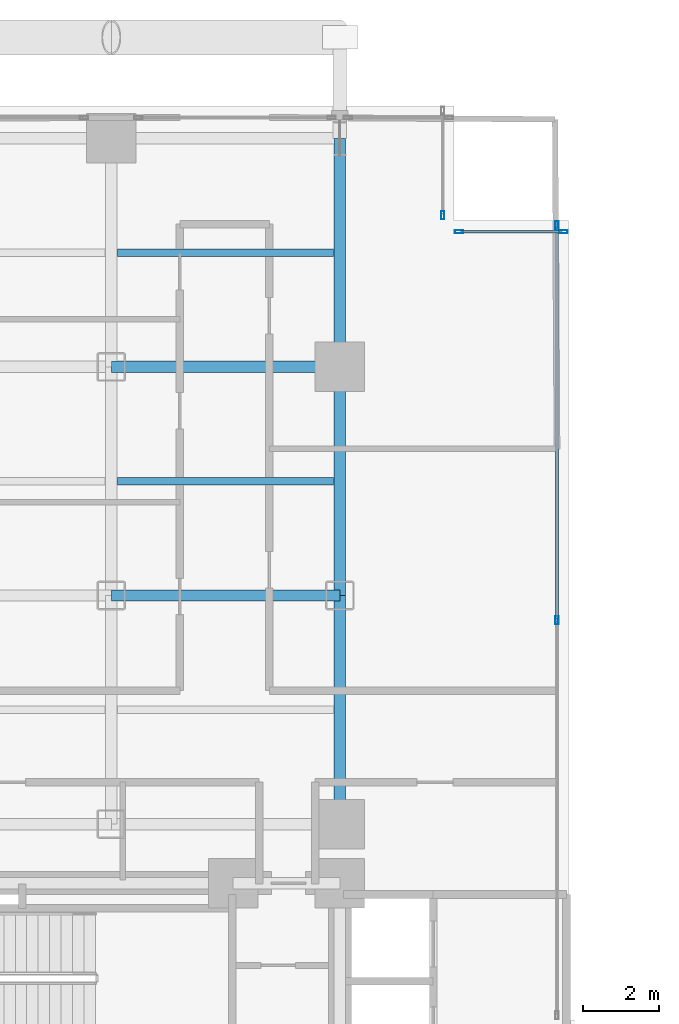
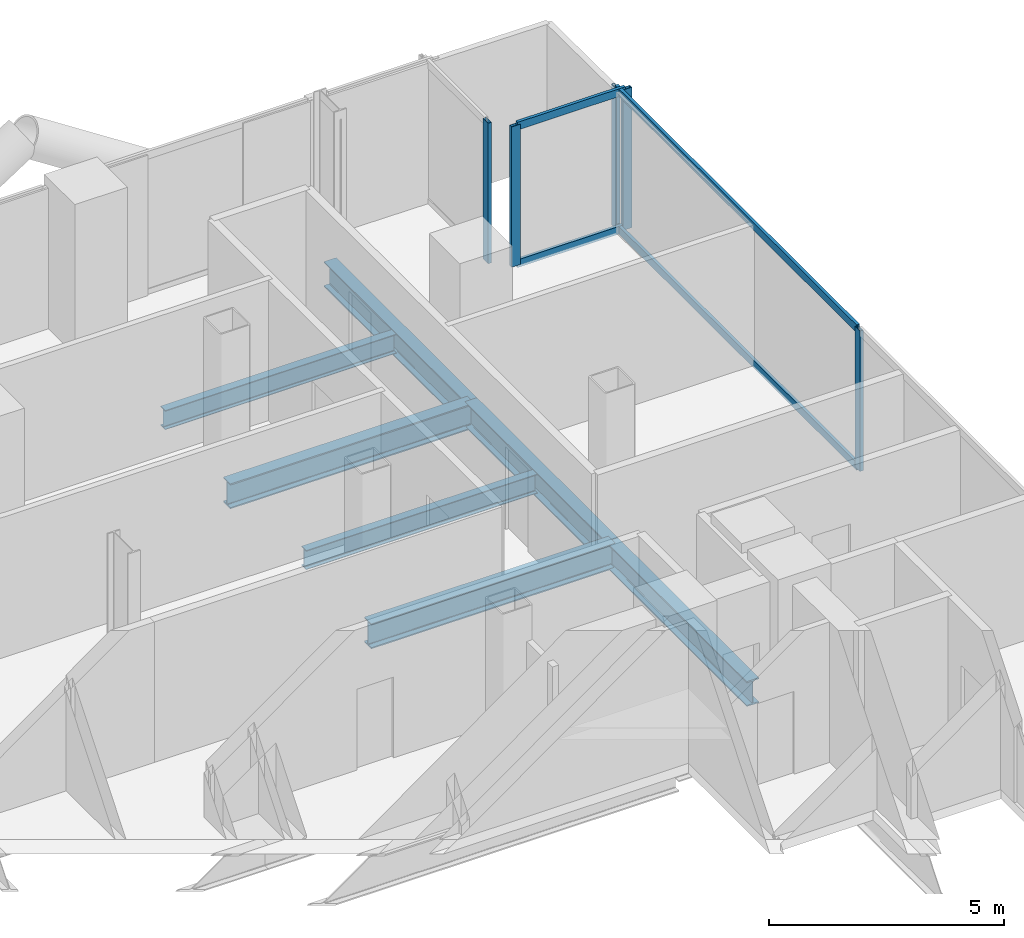
# One storey, part 15 of 25: 9 members, 7 beams, 3 elements without a shape of their own.
"""IFC4 building model written with IfcOpenShell, lengths in metres."""

from ifc_helpers import new_model, si_unit, direction, frame, origin, origin_2d, place, context, subcontext, project, spatial, hollow_rectangle, i_section, extrude, material, layer, layer_set, material_profile, profile_set, type_object, element, aggregate, save


model = new_model("IFC4")

# Units and contexts
model_context = context("Model", 3, precision=1e-05, world=origin(), true_north=direction((0.0, 1.0)))
body_context = subcontext(model_context, "Body", "Model", "MODEL_VIEW")
ifc_project = project(units=[si_unit("LENGTHUNIT", "METRE"), si_unit("AREAUNIT", "SQUARE_METRE"), si_unit("VOLUMEUNIT", "CUBIC_METRE"), si_unit("PLANEANGLEUNIT", "RADIAN"), si_unit("MASSUNIT", "GRAM", prefix="KILO"), si_unit("THERMODYNAMICTEMPERATUREUNIT", "KELVIN"), si_unit("POWERUNIT", "WATT")], contexts=[model_context])

# Site, building, storey
site_placement = place(None, origin())
site = spatial("IfcSite", under=ifc_project, at=site_placement, CompositionType="ELEMENT")
building_placement = place(site_placement, origin())
building = spatial("IfcBuilding", under=site, at=building_placement, Name="Svarakhadi Broadcast Tower", CompositionType="ELEMENT")
storey_placement = place(building_placement, frame((0.0, 0.0, 63.60009765625)))
storey = spatial("IfcBuildingStorey", under=building, at=storey_placement, Name="L14", CompositionType="ELEMENT", Elevation=63.60009765625)

# Beams
ifc_material_1 = material(Name="Steel S355J2 (IS 2062 E350C)", Category="steel")
ifc_material_profile_1 = material_profile(ifc_material_1, i_section(OverallWidth=0.199951171875, OverallDepth=0.5, WebThickness=0.01025390625, FlangeThickness=0.01611328125, FilletRadius=0.02099609375, at=origin_2d()), Name="NPB 500x200x91")
ifc_profile_set_1 = profile_set([ifc_material_profile_1], Name="Steel S355J2 (IS 2062 E350C)")
beam_type_1 = type_object("IfcBeamType", Name="Beam_NPB500", PredefinedType="BEAM", material=ifc_profile_set_1)
for number, where, z_axis, x_axis, name in (
    (1, (12.159912109375, 38.14990234375, -0.5), (1.0, 0.0, 0.0), (0.0, 1.0, 0.0), "L14 Secondary Composite Beam SB017"),
    (2, (12.159912109375, 44.14990234375, -0.5), (1.0, 0.0, 0.0), (0.0, 1.0, 0.0), "L14 Secondary Composite Beam SB018"),
):
    element("IfcBeam", number, at=place(storey_placement, frame(where, z_axis=z_axis, x_axis=x_axis)), inside=storey, type_object=beam_type_1, Name=name, PredefinedType="BEAM", context=body_context, shape_type="SweptSolid", body=[
        extrude(i_section(OverallWidth=0.199951171875, OverallDepth=0.5, WebThickness=0.01025390625, FlangeThickness=0.01611328125, FilletRadius=0.02099609375, at=origin_2d()), origin(), (0.0, 0.0, 1.0), 5.68017578125),
    ])

# Curtain wall, member
ifc_material_2 = material(Name="Anodised Bronze Aluminium AA 6063-T6", Category="aluminium")
ifc_layer = layer(ifc_material_2, 0.219970703125)
ifc_layer_set = layer_set([ifc_layer], Name="Anodised Bronze Aluminium AA 6063-T6")
curtain_wall_type = type_object("IfcCurtainWallType", Name="CW_Sys_02", PredefinedType="NOTDEFINED", material=ifc_layer_set)
curtain_wall_1_placement = place(storey_placement, origin())
curtain_wall_1 = element("IfcCurtainWall", 3, at=curtain_wall_1_placement, inside=storey, type_object=curtain_wall_type, Name="L14 Unitised Facade Curtain Wall 07", PredefinedType="NOTDEFINED")
ifc_material_profile_2 = material_profile(ifc_material_2, hollow_rectangle(XDim=0.0849609375, YDim=0.219970703125, WallThickness=0.006103515625, at=origin_2d()), Name="ALU MULLION 220x85x6")
ifc_profile_set_2 = profile_set([ifc_material_profile_2], Name="Anodised Bronze Aluminium AA 6063-T6")
member_type_1 = type_object("IfcMemberType", Name="CW_Sys_02_Mul", PredefinedType="MULLION", material=ifc_profile_set_2)
member_1_placement = place(storey_placement, frame((20.699951171875, 45.132568359375, 0.0), z_axis=(0.0, 0.0, 1.0), x_axis=(1.0, 0.0, 0.0)))
member_1 = element("IfcMember", 4, at=member_1_placement, type_object=member_type_1, Name="CW-02 mullion 2", PredefinedType="MULLION", context=body_context, shape_type="SweptSolid", body=[
    extrude(hollow_rectangle(XDim=0.0849609375, YDim=0.219970703125, WallThickness=0.006103515625, at=origin_2d()), origin(), (0.0, 0.0, 1.0), 3.64990234375),
])
aggregate(curtain_wall_1, [member_1])

# Curtain wall, members
curtain_wall_2_placement = place(storey_placement, origin())
curtain_wall_2 = element("IfcCurtainWall", 5, at=curtain_wall_2_placement, inside=storey, type_object=curtain_wall_type, Name="L14 Unitised Facade Curtain Wall 08", PredefinedType="NOTDEFINED")
member_2_placement = place(storey_placement, frame((21.132568359375, 44.699951171875, 0.0), z_axis=(0.0, 0.0, 1.0), x_axis=(0.0, 1.0, 0.0)))
member_2 = element("IfcMember", 6, at=member_2_placement, type_object=member_type_1, Name="CW-02 mullion 1", PredefinedType="MULLION", context=body_context, shape_type="SweptSolid", body=[
    extrude(hollow_rectangle(XDim=0.0849609375, YDim=0.219970703125, WallThickness=0.006103515625, at=origin_2d()), origin(), (0.0, 0.0, 1.0), 3.64990234375),
])
member_3_placement = place(storey_placement, frame((23.867431640625, 44.699951171875, 0.0), z_axis=(0.0, 0.0, 1.0), x_axis=(0.0, 1.0, 0.0)))
member_3 = element("IfcMember", 7, at=member_3_placement, type_object=member_type_1, Name="CW-02 mullion 2", PredefinedType="MULLION", context=body_context, shape_type="SweptSolid", body=[
    extrude(hollow_rectangle(XDim=0.0849609375, YDim=0.219970703125, WallThickness=0.006103515625, at=origin_2d()), origin(), (0.0, 0.0, 1.0), 3.64990234375),
])

curtain_wall_3_placement = place(storey_placement, origin())
curtain_wall_3 = element("IfcCurtainWall", 8, at=curtain_wall_3_placement, inside=storey, type_object=curtain_wall_type, Name="L14 Unitised Facade Curtain Wall 09", PredefinedType="NOTDEFINED")
member_4_placement = place(storey_placement, frame((23.699951171875, 44.867431640625, 0.0), z_axis=(0.0, 0.0, 1.0), x_axis=(1.0, 0.0, 0.0)))
member_4 = element("IfcMember", 9, at=member_4_placement, type_object=member_type_1, Name="CW-02 mullion 1", PredefinedType="MULLION", context=body_context, shape_type="SweptSolid", body=[
    extrude(hollow_rectangle(XDim=0.0849609375, YDim=0.219970703125, WallThickness=0.006103515625, at=origin_2d()), origin(), (0.0, 0.0, 1.0), 3.64990234375),
])
member_5_placement = place(storey_placement, frame((23.699951171875, 34.5, 0.0), z_axis=(0.0, 0.0, 1.0), x_axis=(1.0, 0.0, 0.0)))
member_5 = element("IfcMember", 10, at=member_5_placement, type_object=member_type_1, Name="CW-02 mullion 2", PredefinedType="MULLION", context=body_context, shape_type="SweptSolid", body=[
    extrude(hollow_rectangle(XDim=0.0849609375, YDim=0.219970703125, WallThickness=0.006103515625, at=origin_2d()), origin(), (0.0, 0.0, 1.0), 3.64990234375),
])

# Member
ifc_material_profile_3 = material_profile(ifc_material_2, hollow_rectangle(XDim=0.074951171875, YDim=0.199951171875, WallThickness=0.0048828125, at=origin_2d()), Name="ALU TRANSOM 200x75x5")
ifc_profile_set_3 = profile_set([ifc_material_profile_3], Name="Anodised Bronze Aluminium AA 6063-T6")
member_type_2 = type_object("IfcMemberType", Name="CW_Sys_02_Trn", PredefinedType="USERDEFINED", material=ifc_profile_set_3)
member_6_placement = place(storey_placement, frame((21.175048828125, 44.699951171875, 0.037353515625), z_axis=(1.0, 0.0, 0.0), x_axis=(0.0, 1.0, 0.0)))
member_6 = element("IfcMember", 11, at=member_6_placement, type_object=member_type_2, Name="CW-02 transom 1.1", ObjectType="TRANSOM", PredefinedType="USERDEFINED", context=body_context, shape_type="SweptSolid", body=[
    extrude(hollow_rectangle(XDim=0.074951171875, YDim=0.199951171875, WallThickness=0.0048828125, at=origin_2d()), origin(), (0.0, 0.0, 1.0), 2.64990234375),
])

member_7_placement = place(storey_placement, frame((21.175048828125, 44.699951171875, 3.6123046875), z_axis=(1.0, 0.0, 0.0), x_axis=(0.0, 1.0, 0.0)))
member_7 = element("IfcMember", 12, at=member_7_placement, type_object=member_type_2, Name="CW-02 transom 1.2", ObjectType="TRANSOM", PredefinedType="USERDEFINED", context=body_context, shape_type="SweptSolid", body=[
    extrude(hollow_rectangle(XDim=0.074951171875, YDim=0.199951171875, WallThickness=0.0048828125, at=origin_2d()), origin(), (0.0, 0.0, 1.0), 2.64990234375),
])

aggregate(curtain_wall_2, [member_2, member_3, member_6, member_7])

member_8_placement = place(storey_placement, frame((23.699951171875, 44.824951171875, 0.037353515625), z_axis=(0.0, -1.0, 0.0), x_axis=(1.0, 0.0, 0.0)))
member_8 = element("IfcMember", 13, at=member_8_placement, type_object=member_type_2, Name="CW-02 transom 1.1", ObjectType="TRANSOM", PredefinedType="USERDEFINED", context=body_context, shape_type="SweptSolid", body=[
    extrude(hollow_rectangle(XDim=0.074951171875, YDim=0.199951171875, WallThickness=0.0048828125, at=origin_2d()), origin(), (0.0, 0.0, 1.0), 10.282470703125),
])

member_9_placement = place(storey_placement, frame((23.699951171875, 44.824951171875, 3.6123046875), z_axis=(0.0, -1.0, 0.0), x_axis=(1.0, 0.0, 0.0)))
member_9 = element("IfcMember", 14, at=member_9_placement, type_object=member_type_2, Name="CW-02 transom 1.2", ObjectType="TRANSOM", PredefinedType="USERDEFINED", context=body_context, shape_type="SweptSolid", body=[
    extrude(hollow_rectangle(XDim=0.074951171875, YDim=0.199951171875, WallThickness=0.0048828125, at=origin_2d()), origin(), (0.0, 0.0, 1.0), 10.282470703125),
])

aggregate(curtain_wall_3, [member_4, member_5, member_8, member_9])

# Beams
ifc_material_profile_4 = material_profile(ifc_material_1, i_section(OverallWidth=0.300048828125, OverallDepth=0.64990234375, WebThickness=0.01611328125, FlangeThickness=0.031005859375, FilletRadius=0.027099609375, at=origin_2d()), Name="WPB 650x300x225")
ifc_profile_set_4 = profile_set([ifc_material_profile_4], Name="Steel S355J2 (IS 2062 E350C)")
beam_type_2 = type_object("IfcBeamType", Name="Girder_WPB650", PredefinedType="USERDEFINED", material=ifc_profile_set_4)
for number, where, z_axis, x_axis, name in (
    (15, (12.0, 35.14990234375, -0.5751953125), (1.0, 0.0, 0.0), (0.0, 1.0, 0.0), "L14 Primary E-W Girder G039"),
    (16, (12.0, 41.14990234375, -0.5751953125), (1.0, 0.0, 0.0), (0.0, 1.0, 0.0), "L14 Primary E-W Girder G042"),
    (17, (18.0, 29.14990234375, -0.5751953125), (0.0, 1.0, 0.0), (-1.0, 0.0, 0.0), "L14 Primary N-S Girder G068"),
    (18, (18.0, 35.14990234375, -0.5751953125), (0.0, 1.0, 0.0), (-1.0, 0.0, 0.0), "L14 Primary N-S Girder G069"),
    (19, (18.0, 41.14990234375, -0.5751953125), (0.0, 1.0, 0.0), (-1.0, 0.0, 0.0), "L14 Primary N-S Girder G070"),
):
    element("IfcBeam", number, at=place(storey_placement, frame(where, z_axis=z_axis, x_axis=x_axis)), inside=storey, type_object=beam_type_2, Name=name, ObjectType="GIRDER", PredefinedType="USERDEFINED", context=body_context, shape_type="SweptSolid", body=[
        extrude(i_section(OverallWidth=0.300048828125, OverallDepth=0.64990234375, WebThickness=0.01611328125, FlangeThickness=0.031005859375, FilletRadius=0.027099609375, at=origin_2d()), origin(), (0.0, 0.0, 1.0), 6.0),
    ])

save(model, "model.ifc")
